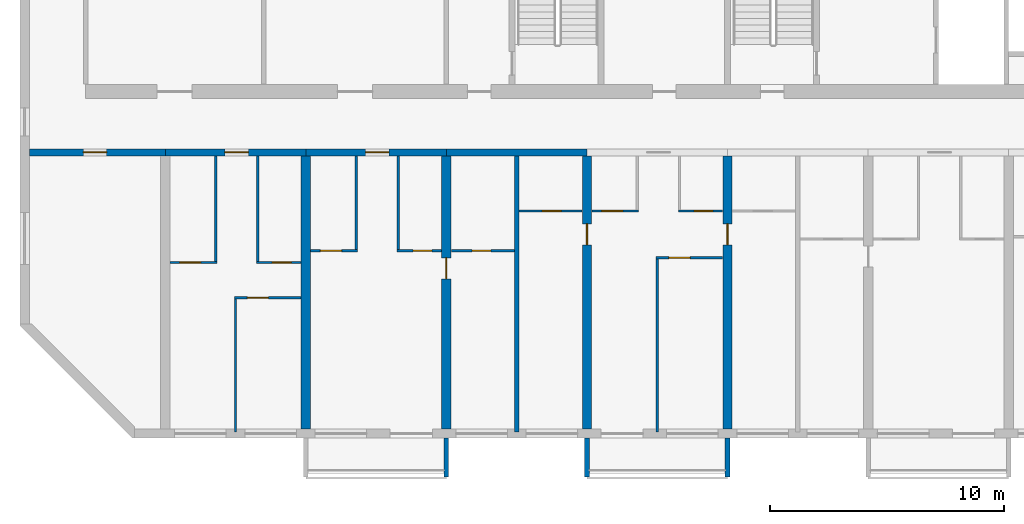
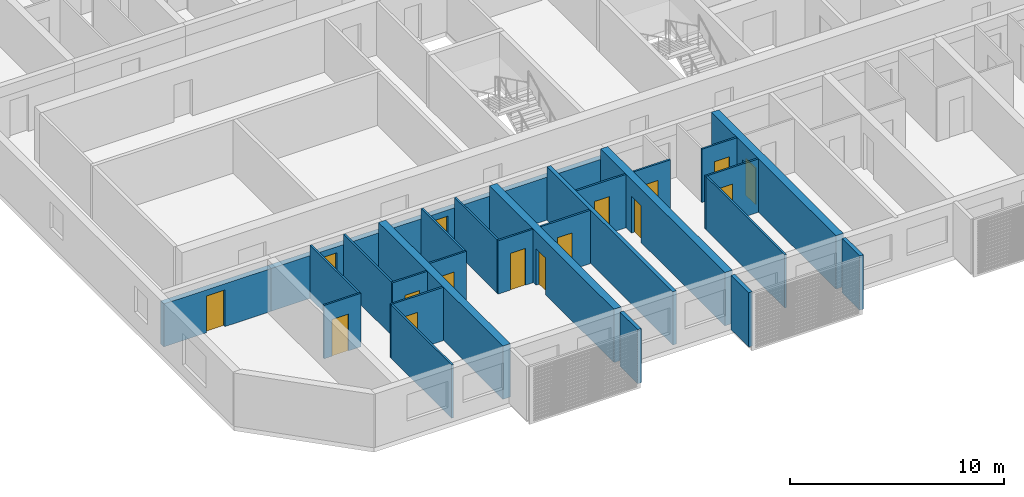
# One storey, part 2 of 38: 28 walls, 16 doors, 16 openings.
"""IFC4 building model written with IfcOpenShell, lengths in metres."""

from ifc_helpers import new_model, si_unit, direction, frame, frame_2d, origin, place, context, subcontext, project, spatial, polyline, rectangle, outline, extrude, source, transform, mapped, material, layer, layer_set, type_object, element, fill, save


model = new_model("IFC4")

# Units and contexts
model_context = context("Model", 3, precision=1e-05, world=origin(), true_north=direction((0.0, 1.0)))
body_context = subcontext(model_context, "Body", "Model", "MODEL_VIEW")
ifc_project = project(units=[si_unit("LENGTHUNIT", "METRE"), si_unit("AREAUNIT", "SQUARE_METRE"), si_unit("VOLUMEUNIT", "CUBIC_METRE"), si_unit("PLANEANGLEUNIT", "RADIAN"), si_unit("MASSUNIT", "GRAM", prefix="KILO")], contexts=[model_context])

# Site, building, storey
site_placement = place(None, origin())
site = spatial("IfcSite", under=ifc_project, at=site_placement, CompositionType="ELEMENT")
building_placement = place(site_placement, origin())
building = spatial("IfcBuilding", under=site, at=building_placement, Name="Poui Terraces", CompositionType="ELEMENT")
storey_placement = place(building_placement, frame((0.0, 0.0, 46.5)))
storey = spatial("IfcBuildingStorey", under=building, at=storey_placement, Name="L12", CompositionType="ELEMENT", Elevation=46.5)

# Wall, opening, door
ifc_material_1 = material(Name="Concrete 80 MPa", Category="concrete")
ifc_layer_1 = layer(ifc_material_1, 0.300048828125)
ifc_layer_set_1 = layer_set([ifc_layer_1], Name="Concrete 80 MPa")
wall_type_1 = type_object("IfcWallType", Name="CORRIDOR WALL 300 80MPa", PredefinedType="SHEAR", material=ifc_layer_set_1)
wall_1_placement = place(storey_placement, frame((0.199951171875, 12.0, 0.0), z_axis=(0.0, 0.0, 1.0), x_axis=(1.0, 0.0, 0.0)))
wall_1 = element("IfcWall", 1, at=wall_1_placement, inside=storey, type_object=wall_type_1, Name="CORRIDOR WALL LINE B BAY 1", PredefinedType="SHEAR", context=body_context, shape_type="SweptSolid", body=[
    extrude(rectangle(XDim=5.800048828125, YDim=0.300048828125, at=frame_2d((2.89990234375, 0.0))), origin(), (0.0, 0.0, 1.0), 2.449951171875),
])
opening_1_placement = place(wall_1_placement, frame((2.300048828125, 0.0, 0.0)))
opening_1 = element("IfcOpeningElement", 2, at=opening_1_placement, cuts=wall_1, Name="Opening D100", PredefinedType="OPENING", context=body_context, shape_type="SweptSolid", body=[
    extrude(rectangle(XDim=1.0, YDim=2.10009765625, at=frame_2d((0.5, 1.050048828125))), frame((0.0, 0.16015625, 0.0), z_axis=(0.0, -1.0, 0.0), x_axis=(1.0, 0.0, 0.0)), (0.0, 0.0, 1.0), 0.320068359375),
])
ifc_material_2 = material(Name="Solid core timber door", Category="wood")
door_type_1 = type_object("IfcDoorType", Name="ACCESSIBLE INTERNAL DOOR 1000 X 2100", OperationType="NOTDEFINED", PredefinedType="DOOR", material=ifc_material_2)
door_1_placement = place(opening_1_placement, frame((1.0, 0.0, 0.0), z_axis=(0.0, 0.0, 1.0), x_axis=(-1.0, 0.0, 0.0)))
door_1 = element("IfcDoor", 3, at=door_1_placement, inside=storey, type_object=door_type_1, Name="ACCESSIBLE INTERNAL DOOR 091", OperationType="SINGLE_SWING_RIGHT", OverallHeight=2.10009765625, OverallWidth=1.0, PredefinedType="DOOR", context=body_context, shape_type="SweptSolid", body=[
    extrude(rectangle(XDim=1.0, YDim=2.10009765625, at=frame_2d((0.5, 1.050048828125))), frame((0.0, 0.02490234375, 0.0), z_axis=(0.0, -1.0, 0.0), x_axis=(1.0, 0.0, 0.0)), (0.0, 0.0, 1.0), 0.050048828125),
])
fill(opening_1, door_1)

wall_2_placement = place(storey_placement, frame((6.0, 12.0, 0.0), z_axis=(0.0, 0.0, 1.0), x_axis=(1.0, 0.0, 0.0)))
wall_2 = element("IfcWall", 4, at=wall_2_placement, inside=storey, type_object=wall_type_1, Name="CORRIDOR WALL LINE B BAY 2", PredefinedType="SHEAR", context=body_context, shape_type="SweptSolid", body=[
    extrude(rectangle(XDim=6.0, YDim=0.300048828125, at=frame_2d((3.0, 0.0))), origin(), (0.0, 0.0, 1.0), 2.449951171875),
])
opening_2_placement = place(wall_2_placement, frame((2.550048828125, 0.0, 0.0)))
opening_2 = element("IfcOpeningElement", 5, at=opening_2_placement, cuts=wall_2, Name="Opening FD30S", PredefinedType="OPENING", context=body_context, shape_type="SweptSolid", body=[
    extrude(rectangle(XDim=1.0, YDim=2.10009765625, at=frame_2d((0.5, 1.050048828125))), frame((0.0, 0.16015625, 0.0), z_axis=(0.0, -1.0, 0.0), x_axis=(1.0, 0.0, 0.0)), (0.0, 0.0, 1.0), 0.320068359375),
])
ifc_material_3 = material(Name="Steel fire door", Category="steel")
door_type_2 = type_object("IfcDoorType", Name="FLAT ENTRANCE DOOR 1000 X 2100", OperationType="NOTDEFINED", PredefinedType="DOOR", material=ifc_material_3)
door_2_placement = place(opening_2_placement, frame((1.0, 0.0, 0.0), z_axis=(0.0, 0.0, 1.0), x_axis=(-1.0, 0.0, 0.0)))
door_2 = element("IfcDoor", 6, at=door_2_placement, inside=storey, type_object=door_type_2, Name="FLAT ENTRANCE DOOR 093", OperationType="SINGLE_SWING_LEFT", OverallHeight=2.10009765625, OverallWidth=1.0, PredefinedType="DOOR", context=body_context, shape_type="SweptSolid", body=[
    extrude(rectangle(XDim=1.0, YDim=2.10009765625, at=frame_2d((0.5, 1.050048828125))), frame((0.0, 0.02490234375, 0.0), z_axis=(0.0, -1.0, 0.0), x_axis=(1.0, 0.0, 0.0)), (0.0, 0.0, 1.0), 0.050048828125),
])
fill(opening_2, door_2)

wall_3_placement = place(storey_placement, frame((12.0, 12.0, 0.0), z_axis=(0.0, 0.0, 1.0), x_axis=(1.0, 0.0, 0.0)))
wall_3 = element("IfcWall", 7, at=wall_3_placement, inside=storey, type_object=wall_type_1, Name="CORRIDOR WALL LINE B BAY 3", PredefinedType="SHEAR", context=body_context, shape_type="SweptSolid", body=[
    extrude(rectangle(XDim=6.0, YDim=0.300048828125, at=frame_2d((3.0, 0.0))), origin(), (0.0, 0.0, 1.0), 2.449951171875),
])
opening_3_placement = place(wall_3_placement, frame((2.550048828125, 0.0, 0.0)))
opening_3 = element("IfcOpeningElement", 8, at=opening_3_placement, cuts=wall_3, Name="Opening FD30S", PredefinedType="OPENING", context=body_context, shape_type="SweptSolid", body=[
    extrude(rectangle(XDim=1.0, YDim=2.10009765625, at=frame_2d((0.5, 1.050048828125))), frame((0.0, 0.16015625, 0.0), z_axis=(0.0, -1.0, 0.0), x_axis=(1.0, 0.0, 0.0)), (0.0, 0.0, 1.0), 0.320068359375),
])
door_3_placement = place(opening_3_placement, frame((1.0, 0.0, 0.0), z_axis=(0.0, 0.0, 1.0), x_axis=(-1.0, 0.0, 0.0)))
door_3 = element("IfcDoor", 9, at=door_3_placement, inside=storey, type_object=door_type_2, Name="FLAT ENTRANCE DOOR 098", OperationType="SINGLE_SWING_LEFT", OverallHeight=2.10009765625, OverallWidth=1.0, PredefinedType="DOOR", context=body_context, shape_type="SweptSolid", body=[
    extrude(rectangle(XDim=1.0, YDim=2.10009765625, at=frame_2d((0.5, 1.050048828125))), frame((0.0, 0.02490234375, 0.0), z_axis=(0.0, -1.0, 0.0), x_axis=(1.0, 0.0, 0.0)), (0.0, 0.0, 1.0), 0.050048828125),
])
fill(opening_3, door_3)

# Walls
wall_4_placement = place(storey_placement, frame((18.0, 12.0, 0.0), z_axis=(0.0, 0.0, 1.0), x_axis=(1.0, 0.0, 0.0)))
element("IfcWall", 10, at=wall_4_placement, inside=storey, type_object=wall_type_1, Name="CORRIDOR WALL LINE B BAY 4", PredefinedType="SHEAR", context=body_context, shape_type="SweptSolid", body=[
    extrude(rectangle(XDim=6.0, YDim=0.300048828125, at=frame_2d((3.0, 0.0))), origin(), (0.0, 0.0, 1.0), 2.449951171875),
])
ifc_layer_2 = layer(ifc_material_1, 0.39990234375)
ifc_layer_set_2 = layer_set([ifc_layer_2], Name="Concrete 80 MPa")
wall_type_2 = type_object("IfcWallType", Name="CROSS WALL 400 80MPa", PredefinedType="SHEAR", material=ifc_layer_set_2)
wall_5_placement = place(storey_placement, frame((12.0, 0.199951171875, 0.0), z_axis=(0.0, 0.0, 1.0), x_axis=(0.0, 1.0, 0.0)))
element("IfcWall", 11, at=wall_5_placement, inside=storey, type_object=wall_type_2, Name="CROSS WALL LINE 3 SOUTH", PredefinedType="SHEAR", context=body_context, shape_type="SweptSolid", body=[
    extrude(rectangle(XDim=11.650146484375, YDim=0.39990234375, at=frame_2d((5.8251953125, 0.0))), origin(), (0.0, 0.0, 1.0), 3.050048828125),
])

# Wall, opening, door
wall_6_placement = place(storey_placement, frame((18.0, 0.199951171875, 0.0), z_axis=(0.0, 0.0, 1.0), x_axis=(0.0, 1.0, 0.0)))
wall_6 = element("IfcWall", 12, at=wall_6_placement, inside=storey, type_object=wall_type_2, Name="CROSS WALL LINE 4 SOUTH", PredefinedType="SHEAR", context=body_context, shape_type="SweptSolid", body=[
    extrude(rectangle(XDim=11.650146484375, YDim=0.39990234375, at=frame_2d((5.8251953125, 0.0))), origin(), (0.0, 0.0, 1.0), 3.050048828125),
])
opening_4_placement = place(wall_6_placement, frame((6.39990234375, 0.0, 0.0)))
opening_4 = element("IfcOpeningElement", 13, at=opening_4_placement, cuts=wall_6, Name="Opening D90", PredefinedType="OPENING", context=body_context, shape_type="SweptSolid", body=[
    extrude(rectangle(XDim=0.89990234375, YDim=2.10009765625, at=frame_2d((0.449951171875, 1.050048828125))), frame((0.0, 0.2099609375, 0.0), z_axis=(0.0, -1.0, 0.0), x_axis=(1.0, 0.0, 0.0)), (0.0, 0.0, 1.0), 0.419921875),
])
door_type_3 = type_object("IfcDoorType", Name="INTERNAL DOOR 900 X 2100", OperationType="NOTDEFINED", PredefinedType="DOOR", material=ifc_material_2)
door_4_placement = place(opening_4_placement, frame((0.89990234375, 0.0, 0.0), z_axis=(0.0, 0.0, 1.0), x_axis=(-1.0, 0.0, 0.0)))
door_4 = element("IfcDoor", 14, at=door_4_placement, inside=storey, type_object=door_type_3, Name="INTERNAL DOOR 100", OperationType="SINGLE_SWING_LEFT", OverallHeight=2.10009765625, OverallWidth=0.89990234375, PredefinedType="DOOR", context=body_context, shape_type="SweptSolid", body=[
    extrude(rectangle(XDim=0.89990234375, YDim=2.10009765625, at=frame_2d((0.449951171875, 1.050048828125))), frame((0.0, 0.02490234375, 0.0), z_axis=(0.0, -1.0, 0.0), x_axis=(1.0, 0.0, 0.0)), (0.0, 0.0, 1.0), 0.050048828125),
])
fill(opening_4, door_4)

wall_7_placement = place(storey_placement, frame((24.0, 0.199951171875, 0.0), z_axis=(0.0, 0.0, 1.0), x_axis=(0.0, 1.0, 0.0)))
wall_7 = element("IfcWall", 15, at=wall_7_placement, inside=storey, type_object=wall_type_2, Name="CROSS WALL LINE 5 SOUTH", PredefinedType="SHEAR", context=body_context, shape_type="SweptSolid", body=[
    extrude(rectangle(XDim=11.650146484375, YDim=0.39990234375, at=frame_2d((5.8251953125, 0.0))), origin(), (0.0, 0.0, 1.0), 3.050048828125),
])
opening_5_placement = place(wall_7_placement, frame((7.85009765625, 0.0, 0.0)))
opening_5 = element("IfcOpeningElement", 16, at=opening_5_placement, cuts=wall_7, Name="Opening D90", PredefinedType="OPENING", context=body_context, shape_type="SweptSolid", body=[
    extrude(rectangle(XDim=0.89990234375, YDim=2.10009765625, at=frame_2d((0.449951171875, 1.050048828125))), frame((0.0, 0.2099609375, 0.0), z_axis=(0.0, -1.0, 0.0), x_axis=(1.0, 0.0, 0.0)), (0.0, 0.0, 1.0), 0.419921875),
])
door_5_placement = place(opening_5_placement, origin())
door_5 = element("IfcDoor", 17, at=door_5_placement, inside=storey, type_object=door_type_3, Name="INTERNAL DOOR 103", OperationType="SINGLE_SWING_RIGHT", OverallHeight=2.10009765625, OverallWidth=0.89990234375, PredefinedType="DOOR", context=body_context, shape_type="SweptSolid", body=[
    extrude(rectangle(XDim=0.89990234375, YDim=2.10009765625, at=frame_2d((0.449951171875, 1.050048828125))), frame((0.0, 0.02490234375, 0.0), z_axis=(0.0, -1.0, 0.0), x_axis=(1.0, 0.0, 0.0)), (0.0, 0.0, 1.0), 0.050048828125),
])
fill(opening_5, door_5)

wall_8_placement = place(storey_placement, frame((30.0, 0.199951171875, 0.0), z_axis=(0.0, 0.0, 1.0), x_axis=(0.0, 1.0, 0.0)))
wall_8 = element("IfcWall", 18, at=wall_8_placement, inside=storey, type_object=wall_type_2, Name="CROSS WALL LINE 6 SOUTH", PredefinedType="SHEAR", context=body_context, shape_type="SweptSolid", body=[
    extrude(rectangle(XDim=11.650146484375, YDim=0.39990234375, at=frame_2d((5.8251953125, 0.0))), origin(), (0.0, 0.0, 1.0), 3.050048828125),
])
opening_6_placement = place(wall_8_placement, frame((7.85009765625, 0.0, 0.0)))
opening_6 = element("IfcOpeningElement", 19, at=opening_6_placement, cuts=wall_8, Name="Opening D90", PredefinedType="OPENING", context=body_context, shape_type="SweptSolid", body=[
    extrude(rectangle(XDim=0.89990234375, YDim=2.10009765625, at=frame_2d((0.449951171875, 1.050048828125))), frame((0.0, 0.2099609375, 0.0), z_axis=(0.0, -1.0, 0.0), x_axis=(1.0, 0.0, 0.0)), (0.0, 0.0, 1.0), 0.419921875),
])
door_6_placement = place(opening_6_placement, frame((0.89990234375, 0.0, 0.0), z_axis=(0.0, 0.0, 1.0), x_axis=(-1.0, 0.0, 0.0)))
door_6 = element("IfcDoor", 20, at=door_6_placement, inside=storey, type_object=door_type_3, Name="INTERNAL DOOR 108", OperationType="SINGLE_SWING_LEFT", OverallHeight=2.10009765625, OverallWidth=0.89990234375, PredefinedType="DOOR", context=body_context, shape_type="SweptSolid", body=[
    extrude(rectangle(XDim=0.89990234375, YDim=2.10009765625, at=frame_2d((0.449951171875, 1.050048828125))), frame((0.0, 0.02490234375, 0.0), z_axis=(0.0, -1.0, 0.0), x_axis=(1.0, 0.0, 0.0)), (0.0, 0.0, 1.0), 0.050048828125),
])
fill(opening_6, door_6)

ifc_material_4 = material(Name="Plasterboard partition")
ifc_layer_3 = layer(ifc_material_4, 0.10009765625)
ifc_layer_set_3 = layer_set([ifc_layer_3], Name="Plasterboard partition")
wall_type_3 = type_object("IfcWallType", Name="FLAT PARTITION 100", PredefinedType="PARTITIONING", material=ifc_layer_set_3)
wall_9_placement = place(storey_placement, frame((8.949951171875, 5.800048828125, 0.0), z_axis=(0.0, 0.0, 1.0), x_axis=(1.0, 0.0, 0.0)))
wall_9 = element("IfcWall", 21, at=wall_9_placement, inside=storey, type_object=wall_type_3, Name="FLAT PARTITION 100", PredefinedType="PARTITIONING", context=body_context, shape_type="SweptSolid", body=[
    extrude(rectangle(XDim=2.840087890625, YDim=0.10009765625, at=frame_2d((1.419921875, 0.0))), origin(), (0.0, 0.0, 1.0), 3.050048828125),
])
opening_7_placement = place(wall_9_placement, frame((0.550048828125, 0.0, 0.0)))
opening_7 = element("IfcOpeningElement", 22, at=opening_7_placement, cuts=wall_9, Name="Opening D90", PredefinedType="OPENING", context=body_context, shape_type="SweptSolid", body=[
    extrude(rectangle(XDim=0.89990234375, YDim=2.10009765625, at=frame_2d((0.449951171875, 1.050048828125))), frame((0.0, 0.06005859375, 0.0), z_axis=(0.0, -1.0, 0.0), x_axis=(1.0, 0.0, 0.0)), (0.0, 0.0, 1.0), 0.1201171875),
])
door_7_placement = place(opening_7_placement, origin())
door_7 = element("IfcDoor", 23, at=door_7_placement, inside=storey, type_object=door_type_3, Name="INTERNAL DOOR 094", OperationType="SINGLE_SWING_RIGHT", OverallHeight=2.10009765625, OverallWidth=0.89990234375, PredefinedType="DOOR", context=body_context, shape_type="SweptSolid", body=[
    extrude(rectangle(XDim=0.89990234375, YDim=2.10009765625, at=frame_2d((0.449951171875, 1.050048828125))), frame((0.0, 0.02490234375, 0.0), z_axis=(0.0, -1.0, 0.0), x_axis=(1.0, 0.0, 0.0)), (0.0, 0.0, 1.0), 0.050048828125),
])
fill(opening_7, door_7)

wall_10_placement = place(storey_placement, frame((6.2099609375, 7.300048828125, 0.0), z_axis=(0.0, 0.0, 1.0), x_axis=(1.0, 0.0, 0.0)))
wall_10 = element("IfcWall", 24, at=wall_10_placement, inside=storey, type_object=wall_type_3, Name="FLAT PARTITION 100", PredefinedType="PARTITIONING", context=body_context, shape_type="SweptSolid", body=[
    extrude(rectangle(XDim=1.989990234375, YDim=0.10009765625, at=frame_2d((0.9951171875, 0.0))), origin(), (0.0, 0.0, 1.0), 3.050048828125),
])
opening_8_placement = place(wall_10_placement, frame((0.4150390625, 0.0, 0.0)))
opening_8 = element("IfcOpeningElement", 25, at=opening_8_placement, cuts=wall_10, Name="Opening D90", PredefinedType="OPENING", context=body_context, shape_type="SweptSolid", body=[
    extrude(rectangle(XDim=0.89990234375, YDim=2.10009765625, at=frame_2d((0.449951171875, 1.050048828125))), frame((0.0, 0.06005859375, 0.0), z_axis=(0.0, -1.0, 0.0), x_axis=(1.0, 0.0, 0.0)), (0.0, 0.0, 1.0), 0.1201171875),
])
door_8_placement = place(opening_8_placement, origin())
door_8 = element("IfcDoor", 26, at=door_8_placement, inside=storey, type_object=door_type_3, Name="INTERNAL DOOR 092", OperationType="SINGLE_SWING_RIGHT", OverallHeight=2.10009765625, OverallWidth=0.89990234375, PredefinedType="DOOR", context=body_context, shape_type="SweptSolid", body=[
    extrude(rectangle(XDim=0.89990234375, YDim=2.10009765625, at=frame_2d((0.449951171875, 1.050048828125))), frame((0.0, 0.02490234375, 0.0), z_axis=(0.0, -1.0, 0.0), x_axis=(1.0, 0.0, 0.0)), (0.0, 0.0, 1.0), 0.050048828125),
])
fill(opening_8, door_8)

wall_11_placement = place(storey_placement, frame((9.89990234375, 7.300048828125, 0.0), z_axis=(0.0, 0.0, 1.0), x_axis=(1.0, 0.0, 0.0)))
wall_11 = element("IfcWall", 27, at=wall_11_placement, inside=storey, type_object=wall_type_3, Name="FLAT PARTITION 100", PredefinedType="PARTITIONING", context=body_context, shape_type="SweptSolid", body=[
    extrude(rectangle(XDim=1.89013671875, YDim=0.10009765625, at=frame_2d((0.945068359375, 0.0))), origin(), (0.0, 0.0, 1.0), 3.050048828125),
])
opening_9_placement = place(wall_11_placement, frame((0.675048828125, 0.0, 0.0)))
opening_9 = element("IfcOpeningElement", 28, at=opening_9_placement, cuts=wall_11, Name="Opening D80", PredefinedType="OPENING", context=body_context, shape_type="SweptSolid", body=[
    extrude(rectangle(XDim=0.800048828125, YDim=2.10009765625, at=frame_2d((0.39990234375, 1.050048828125))), frame((0.0, 0.06005859375, 0.0), z_axis=(0.0, -1.0, 0.0), x_axis=(1.0, 0.0, 0.0)), (0.0, 0.0, 1.0), 0.1201171875),
])
door_type_4 = type_object("IfcDoorType", Name="BATHROOM, LAUNDRY AND STORE DOOR 800 X 2100", OperationType="NOTDEFINED", PredefinedType="DOOR", material=ifc_material_2)
door_9_placement = place(opening_9_placement, origin())
door_9 = element("IfcDoor", 29, at=door_9_placement, inside=storey, type_object=door_type_4, Name="BATHROOM, LAUNDRY AND STORE DOOR 095", OperationType="SINGLE_SWING_LEFT", OverallHeight=2.10009765625, OverallWidth=0.800048828125, PredefinedType="DOOR", context=body_context, shape_type="SweptSolid", body=[
    extrude(rectangle(XDim=0.800048828125, YDim=2.10009765625, at=frame_2d((0.39990234375, 1.050048828125))), frame((0.0, 0.02490234375, 0.0), z_axis=(0.0, -1.0, 0.0), x_axis=(1.0, 0.0, 0.0)), (0.0, 0.0, 1.0), 0.050048828125),
])
fill(opening_9, door_9)

wall_12_placement = place(storey_placement, frame((26.949951171875, 7.5, 0.0), z_axis=(0.0, 0.0, 1.0), x_axis=(1.0, 0.0, 0.0)))
wall_12 = element("IfcWall", 30, at=wall_12_placement, inside=storey, type_object=wall_type_3, Name="FLAT PARTITION 100", PredefinedType="PARTITIONING", context=body_context, shape_type="SweptSolid", body=[
    extrude(rectangle(XDim=2.840087890625, YDim=0.10009765625, at=frame_2d((1.419921875, 0.0))), origin(), (0.0, 0.0, 1.0), 3.050048828125),
])
opening_10_placement = place(wall_12_placement, frame((0.550048828125, 0.0, 0.0)))
opening_10 = element("IfcOpeningElement", 31, at=opening_10_placement, cuts=wall_12, Name="Opening D90", PredefinedType="OPENING", context=body_context, shape_type="SweptSolid", body=[
    extrude(rectangle(XDim=0.89990234375, YDim=2.10009765625, at=frame_2d((0.449951171875, 1.050048828125))), frame((0.0, 0.06005859375, 0.0), z_axis=(0.0, -1.0, 0.0), x_axis=(1.0, 0.0, 0.0)), (0.0, 0.0, 1.0), 0.1201171875),
])
door_10_placement = place(opening_10_placement, origin())
door_10 = element("IfcDoor", 32, at=door_10_placement, inside=storey, type_object=door_type_3, Name="INTERNAL DOOR 106", OperationType="SINGLE_SWING_RIGHT", OverallHeight=2.10009765625, OverallWidth=0.89990234375, PredefinedType="DOOR", context=body_context, shape_type="SweptSolid", body=[
    extrude(rectangle(XDim=0.89990234375, YDim=2.10009765625, at=frame_2d((0.449951171875, 1.050048828125))), frame((0.0, 0.02490234375, 0.0), z_axis=(0.0, -1.0, 0.0), x_axis=(1.0, 0.0, 0.0)), (0.0, 0.0, 1.0), 0.050048828125),
])
fill(opening_10, door_10)

wall_13_placement = place(storey_placement, frame((12.2099609375, 7.800048828125, 0.0), z_axis=(0.0, 0.0, 1.0), x_axis=(1.0, 0.0, 0.0)))
wall_13 = element("IfcWall", 33, at=wall_13_placement, inside=storey, type_object=wall_type_3, Name="FLAT PARTITION 100", PredefinedType="PARTITIONING", context=body_context, shape_type="SweptSolid", body=[
    extrude(rectangle(XDim=1.989990234375, YDim=0.10009765625, at=frame_2d((0.9951171875, 0.0))), origin(), (0.0, 0.0, 1.0), 3.050048828125),
])
opening_11_placement = place(wall_13_placement, frame((0.4150390625, 0.0, 0.0)))
opening_11 = element("IfcOpeningElement", 34, at=opening_11_placement, cuts=wall_13, Name="Opening D90", PredefinedType="OPENING", context=body_context, shape_type="SweptSolid", body=[
    extrude(rectangle(XDim=0.89990234375, YDim=2.10009765625, at=frame_2d((0.449951171875, 1.050048828125))), frame((0.0, 0.06005859375, 0.0), z_axis=(0.0, -1.0, 0.0), x_axis=(1.0, 0.0, 0.0)), (0.0, 0.0, 1.0), 0.1201171875),
])
door_11_placement = place(opening_11_placement, origin())
door_11 = element("IfcDoor", 35, at=door_11_placement, inside=storey, type_object=door_type_3, Name="INTERNAL DOOR 097", OperationType="SINGLE_SWING_RIGHT", OverallHeight=2.10009765625, OverallWidth=0.89990234375, PredefinedType="DOOR", context=body_context, shape_type="SweptSolid", body=[
    extrude(rectangle(XDim=0.89990234375, YDim=2.10009765625, at=frame_2d((0.449951171875, 1.050048828125))), frame((0.0, 0.02490234375, 0.0), z_axis=(0.0, -1.0, 0.0), x_axis=(1.0, 0.0, 0.0)), (0.0, 0.0, 1.0), 0.050048828125),
])
fill(opening_11, door_11)

wall_14_placement = place(storey_placement, frame((15.89990234375, 7.800048828125, 0.0), z_axis=(0.0, 0.0, 1.0), x_axis=(1.0, 0.0, 0.0)))
wall_14 = element("IfcWall", 36, at=wall_14_placement, inside=storey, type_object=wall_type_3, Name="FLAT PARTITION 100", PredefinedType="PARTITIONING", context=body_context, shape_type="SweptSolid", body=[
    extrude(rectangle(XDim=1.89013671875, YDim=0.10009765625, at=frame_2d((0.945068359375, 0.0))), origin(), (0.0, 0.0, 1.0), 3.050048828125),
])
opening_12_placement = place(wall_14_placement, frame((0.675048828125, 0.0, 0.0)))
opening_12 = element("IfcOpeningElement", 37, at=opening_12_placement, cuts=wall_14, Name="Opening D80", PredefinedType="OPENING", context=body_context, shape_type="SweptSolid", body=[
    extrude(rectangle(XDim=0.800048828125, YDim=2.10009765625, at=frame_2d((0.39990234375, 1.050048828125))), frame((0.0, 0.06005859375, 0.0), z_axis=(0.0, -1.0, 0.0), x_axis=(1.0, 0.0, 0.0)), (0.0, 0.0, 1.0), 0.1201171875),
])
door_12_placement = place(opening_12_placement, origin())
door_12 = element("IfcDoor", 38, at=door_12_placement, inside=storey, type_object=door_type_4, Name="BATHROOM, LAUNDRY AND STORE DOOR 099", OperationType="SINGLE_SWING_LEFT", OverallHeight=2.10009765625, OverallWidth=0.800048828125, PredefinedType="DOOR", context=body_context, shape_type="SweptSolid", body=[
    extrude(rectangle(XDim=0.800048828125, YDim=2.10009765625, at=frame_2d((0.39990234375, 1.050048828125))), frame((0.0, 0.02490234375, 0.0), z_axis=(0.0, -1.0, 0.0), x_axis=(1.0, 0.0, 0.0)), (0.0, 0.0, 1.0), 0.050048828125),
])
fill(opening_12, door_12)

wall_15_placement = place(storey_placement, frame((18.2099609375, 7.800048828125, 0.0), z_axis=(0.0, 0.0, 1.0), x_axis=(1.0, 0.0, 0.0)))
wall_15 = element("IfcWall", 39, at=wall_15_placement, inside=storey, type_object=wall_type_3, Name="FLAT PARTITION 100", PredefinedType="PARTITIONING", context=body_context, shape_type="SweptSolid", body=[
    extrude(rectangle(XDim=2.68994140625, YDim=0.10009765625, at=frame_2d((1.344970703125, 0.0))), origin(), (0.0, 0.0, 1.0), 3.050048828125),
])
opening_13_placement = place(wall_15_placement, frame((0.889892578125, 0.0, 0.0)))
opening_13 = element("IfcOpeningElement", 40, at=opening_13_placement, cuts=wall_15, Name="Opening D80", PredefinedType="OPENING", context=body_context, shape_type="SweptSolid", body=[
    extrude(rectangle(XDim=0.800048828125, YDim=2.10009765625, at=frame_2d((0.39990234375, 1.050048828125))), frame((0.0, 0.06005859375, 0.0), z_axis=(0.0, -1.0, 0.0), x_axis=(1.0, 0.0, 0.0)), (0.0, 0.0, 1.0), 0.1201171875),
])
door_13_placement = place(opening_13_placement, origin())
door_13 = element("IfcDoor", 41, at=door_13_placement, inside=storey, type_object=door_type_4, Name="BATHROOM, LAUNDRY AND STORE DOOR 096", OperationType="SINGLE_SWING_LEFT", OverallHeight=2.10009765625, OverallWidth=0.800048828125, PredefinedType="DOOR", context=body_context, shape_type="SweptSolid", body=[
    extrude(rectangle(XDim=0.800048828125, YDim=2.10009765625, at=frame_2d((0.39990234375, 1.050048828125))), frame((0.0, 0.02490234375, 0.0), z_axis=(0.0, -1.0, 0.0), x_axis=(1.0, 0.0, 0.0)), (0.0, 0.0, 1.0), 0.050048828125),
])
fill(opening_13, door_13)

wall_16_placement = place(storey_placement, frame((21.10009765625, 9.5, 0.0), z_axis=(0.0, 0.0, 1.0), x_axis=(1.0, 0.0, 0.0)))
wall_16 = element("IfcWall", 42, at=wall_16_placement, inside=storey, type_object=wall_type_3, Name="FLAT PARTITION 100", PredefinedType="PARTITIONING", context=body_context, shape_type="SweptSolid", body=[
    extrude(rectangle(XDim=2.68994140625, YDim=0.10009765625, at=frame_2d((1.344970703125, 0.0))), origin(), (0.0, 0.0, 1.0), 3.050048828125),
])
opening_14_placement = place(wall_16_placement, frame((1.0, 0.0, 0.0)))
opening_14 = element("IfcOpeningElement", 43, at=opening_14_placement, cuts=wall_16, Name="Opening D80", PredefinedType="OPENING", context=body_context, shape_type="SweptSolid", body=[
    extrude(rectangle(XDim=0.800048828125, YDim=2.10009765625, at=frame_2d((0.39990234375, 1.050048828125))), frame((0.0, 0.06005859375, 0.0), z_axis=(0.0, -1.0, 0.0), x_axis=(1.0, 0.0, 0.0)), (0.0, 0.0, 1.0), 0.1201171875),
])
door_14_placement = place(opening_14_placement, origin())
door_14 = element("IfcDoor", 44, at=door_14_placement, inside=storey, type_object=door_type_4, Name="BATHROOM, LAUNDRY AND STORE DOOR 101", OperationType="SINGLE_SWING_RIGHT", OverallHeight=2.10009765625, OverallWidth=0.800048828125, PredefinedType="DOOR", context=body_context, shape_type="SweptSolid", body=[
    extrude(rectangle(XDim=0.800048828125, YDim=2.10009765625, at=frame_2d((0.39990234375, 1.050048828125))), frame((0.0, 0.02490234375, 0.0), z_axis=(0.0, -1.0, 0.0), x_axis=(1.0, 0.0, 0.0)), (0.0, 0.0, 1.0), 0.050048828125),
])
fill(opening_14, door_14)

wall_17_placement = place(storey_placement, frame((24.2099609375, 9.5, 0.0), z_axis=(0.0, 0.0, 1.0), x_axis=(1.0, 0.0, 0.0)))
wall_17 = element("IfcWall", 45, at=wall_17_placement, inside=storey, type_object=wall_type_3, Name="FLAT PARTITION 100", PredefinedType="PARTITIONING", context=body_context, shape_type="SweptSolid", body=[
    extrude(rectangle(XDim=1.989990234375, YDim=0.10009765625, at=frame_2d((0.9951171875, 0.0))), origin(), (0.0, 0.0, 1.0), 3.050048828125),
])
opening_15_placement = place(wall_17_placement, frame((0.4150390625, 0.0, 0.0)))
opening_15 = element("IfcOpeningElement", 46, at=opening_15_placement, cuts=wall_17, Name="Opening D90", PredefinedType="OPENING", context=body_context, shape_type="SweptSolid", body=[
    extrude(rectangle(XDim=0.89990234375, YDim=2.10009765625, at=frame_2d((0.449951171875, 1.050048828125))), frame((0.0, 0.06005859375, 0.0), z_axis=(0.0, -1.0, 0.0), x_axis=(1.0, 0.0, 0.0)), (0.0, 0.0, 1.0), 0.1201171875),
])
door_15_placement = place(opening_15_placement, origin())
door_15 = element("IfcDoor", 47, at=door_15_placement, inside=storey, type_object=door_type_3, Name="INTERNAL DOOR 104", OperationType="SINGLE_SWING_RIGHT", OverallHeight=2.10009765625, OverallWidth=0.89990234375, PredefinedType="DOOR", context=body_context, shape_type="SweptSolid", body=[
    extrude(rectangle(XDim=0.89990234375, YDim=2.10009765625, at=frame_2d((0.449951171875, 1.050048828125))), frame((0.0, 0.02490234375, 0.0), z_axis=(0.0, -1.0, 0.0), x_axis=(1.0, 0.0, 0.0)), (0.0, 0.0, 1.0), 0.050048828125),
])
fill(opening_15, door_15)

wall_18_placement = place(storey_placement, frame((27.89990234375, 9.5, 0.0), z_axis=(0.0, 0.0, 1.0), x_axis=(1.0, 0.0, 0.0)))
wall_18 = element("IfcWall", 48, at=wall_18_placement, inside=storey, type_object=wall_type_3, Name="FLAT PARTITION 100", PredefinedType="PARTITIONING", context=body_context, shape_type="SweptSolid", body=[
    extrude(rectangle(XDim=1.89013671875, YDim=0.10009765625, at=frame_2d((0.945068359375, 0.0))), origin(), (0.0, 0.0, 1.0), 3.050048828125),
])
opening_16_placement = place(wall_18_placement, frame((0.675048828125, 0.0, 0.0)))
opening_16 = element("IfcOpeningElement", 49, at=opening_16_placement, cuts=wall_18, Name="Opening D80", PredefinedType="OPENING", context=body_context, shape_type="SweptSolid", body=[
    extrude(rectangle(XDim=0.800048828125, YDim=2.10009765625, at=frame_2d((0.39990234375, 1.050048828125))), frame((0.0, 0.06005859375, 0.0), z_axis=(0.0, -1.0, 0.0), x_axis=(1.0, 0.0, 0.0)), (0.0, 0.0, 1.0), 0.1201171875),
])
door_16_placement = place(opening_16_placement, origin())
door_16 = element("IfcDoor", 50, at=door_16_placement, inside=storey, type_object=door_type_4, Name="BATHROOM, LAUNDRY AND STORE DOOR 107", OperationType="SINGLE_SWING_LEFT", OverallHeight=2.10009765625, OverallWidth=0.800048828125, PredefinedType="DOOR", context=body_context, shape_type="SweptSolid", body=[
    extrude(rectangle(XDim=0.800048828125, YDim=2.10009765625, at=frame_2d((0.39990234375, 1.050048828125))), frame((0.0, 0.02490234375, 0.0), z_axis=(0.0, -1.0, 0.0), x_axis=(1.0, 0.0, 0.0)), (0.0, 0.0, 1.0), 0.050048828125),
])
fill(opening_16, door_16)

# Walls
wall_19_placement = place(storey_placement, frame((8.14990234375, 7.35009765625, 0.0), z_axis=(0.0, 0.0, 1.0), x_axis=(0.0, 1.0, 0.0)))
element("IfcWall", 51, at=wall_19_placement, inside=storey, type_object=wall_type_3, Name="FLAT PARTITION 100", PredefinedType="PARTITIONING", context=body_context, shape_type="SweptSolid", body=[
    extrude(rectangle(XDim=4.489990234375, YDim=0.10009765625, at=frame_2d((2.2451171875, 0.0))), origin(), (0.0, 0.0, 1.0), 3.050048828125),
])
wall_20_placement = place(storey_placement, frame((9.0, 0.06005859375, 0.0), z_axis=(0.0, 0.0, 1.0), x_axis=(0.0, 1.0, 0.0)))
element("IfcWall", 52, at=wall_20_placement, inside=storey, type_object=wall_type_3, Name="FLAT PARTITION 100", PredefinedType="PARTITIONING", context=body_context, shape_type="SweptSolid", body=[
    extrude(rectangle(XDim=5.68994140625, YDim=0.10009765625, at=frame_2d((2.844970703125, 0.0))), origin(), (0.0, 0.0, 1.0), 3.050048828125),
])
wall_21_placement = place(storey_placement, frame((9.949951171875, 7.35009765625, 0.0), z_axis=(0.0, 0.0, 1.0), x_axis=(0.0, 1.0, 0.0)))
element("IfcWall", 53, at=wall_21_placement, inside=storey, type_object=wall_type_3, Name="FLAT PARTITION 100", PredefinedType="PARTITIONING", context=body_context, shape_type="SweptSolid", body=[
    extrude(rectangle(XDim=4.489990234375, YDim=0.10009765625, at=frame_2d((2.2451171875, 0.0))), origin(), (0.0, 0.0, 1.0), 3.050048828125),
])
for number, where, z_axis, x_axis, name in (
    (54, (14.14990234375, 7.85009765625, 0.0), (0.0, 0.0, 1.0), (0.0, 1.0, 0.0), "FLAT PARTITION 100"),
    (55, (15.949951171875, 7.85009765625, 0.0), (0.0, 0.0, 1.0), (0.0, 1.0, 0.0), "FLAT PARTITION 100"),
):
    element("IfcWall", number, at=place(storey_placement, frame(where, z_axis=z_axis, x_axis=x_axis)), inside=storey, type_object=wall_type_3, Name=name, PredefinedType="PARTITIONING", context=body_context, shape_type="SweptSolid", body=[
        extrude(rectangle(XDim=3.989990234375, YDim=0.10009765625, at=frame_2d((1.9951171875, 0.0))), origin(), (0.0, 0.0, 1.0), 3.050048828125),
    ])
wall_22_placement = place(storey_placement, frame((27.0, 0.06005859375, 0.0), z_axis=(0.0, 0.0, 1.0), x_axis=(0.0, 1.0, 0.0)))
element("IfcWall", 56, at=wall_22_placement, inside=storey, type_object=wall_type_3, Name="FLAT PARTITION 100", PredefinedType="PARTITIONING", context=body_context, shape_type="SweptSolid", body=[
    extrude(rectangle(XDim=7.389892578125, YDim=0.10009765625, at=frame_2d((3.69482421875, 0.0))), origin(), (0.0, 0.0, 1.0), 3.050048828125),
])
ifc_material_5 = material(Name="Fire-rated masonry wall", Category="masonry")
ifc_layer_4 = layer(ifc_material_5, 0.199951171875)
ifc_layer_set_4 = layer_set([ifc_layer_4], Name="Fire-rated masonry wall")
wall_type_4 = type_object("IfcWallType", Name="FLAT PARTY WALL 200", PredefinedType="PARTITIONING", material=ifc_layer_set_4)
wall_23_placement = place(storey_placement, frame((21.0, 0.06005859375, 0.0), z_axis=(0.0, 0.0, 1.0), x_axis=(0.0, 1.0, 0.0)))
element("IfcWall", 57, at=wall_23_placement, inside=storey, type_object=wall_type_4, Name="FLAT PARTY WALL 200", PredefinedType="PARTITIONING", context=body_context, shape_type="SweptSolid", body=[
    extrude(rectangle(XDim=11.780029296875, YDim=0.199951171875, at=frame_2d((5.89013671875, 0.0))), origin(), (0.0, 0.0, 1.0), 3.050048828125),
])
ifc_material_6 = material(Name="Precast concrete 40 MPa", Category="concrete")
ifc_layer_5 = layer(ifc_material_6, 0.199951171875)
ifc_layer_set_5 = layer_set([ifc_layer_5], Name="Precast concrete 40 MPa")
wall_type_5 = type_object("IfcWallType", Name="REAR FIN 200", PredefinedType="STANDARD", material=ifc_layer_set_5)
shared_shape = source(origin(), body_context, "Body", "SweptSolid", [
    extrude(outline(polyline([(0.0, 0.0), (0.2001953125, 0.0), (0.2001953125, 1.650146484375), (0.0, 1.650146484375), (0.0, 0.0)])), origin(), (0.0, 0.0, 1.0), 3.10009765625),
])
for number, where, name in (
    (58, (17.89990234375, -1.85009765625, 0.0), "REAR FIN"),
    (59, (23.89990234375, -1.85009765625, 0.0), "REAR FIN"),
    (60, (29.89990234375, -1.85009765625, 0.0), "REAR FIN"),
):
    element("IfcWall", number, at=place(storey_placement, frame(where)), inside=storey, type_object=wall_type_5, Name=name, PredefinedType="STANDARD", context=body_context, shape_type="MappedRepresentation", body=[
        mapped(shared_shape, transform((0.0, 0.0, 0.0))),
    ])

save(model, "model.ifc")
